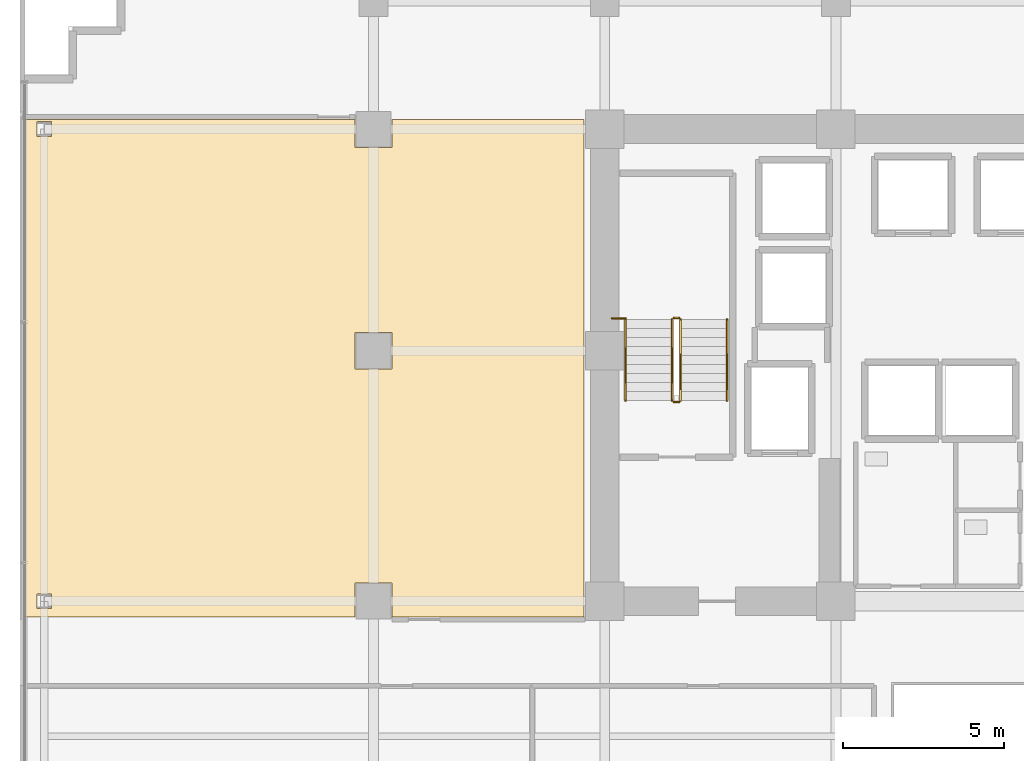
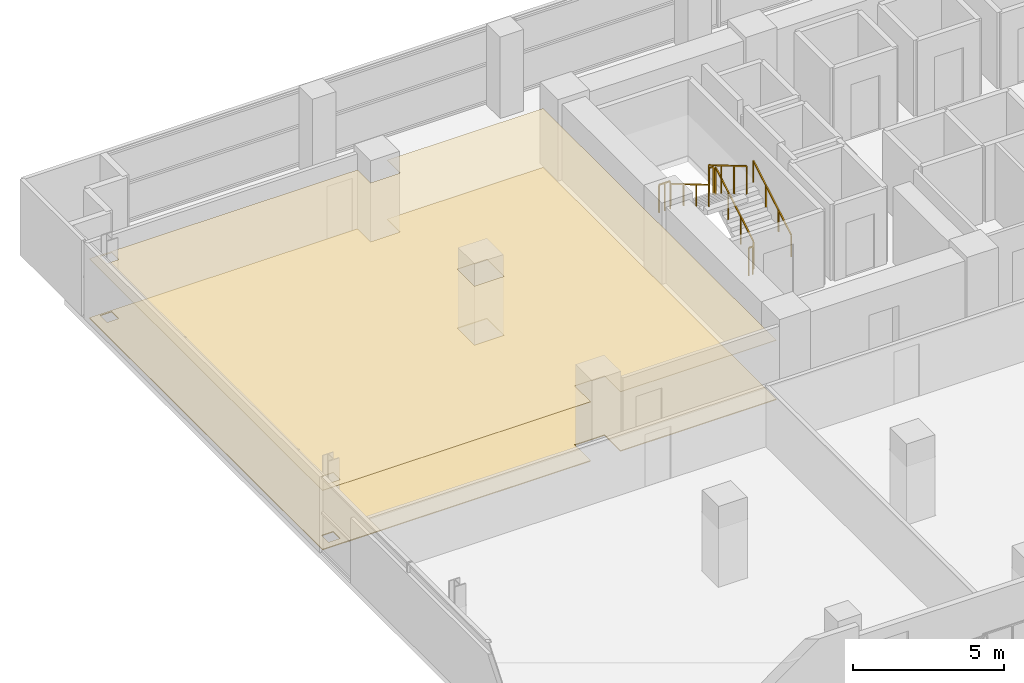
# One storey, part 27 of 30: 7 railings, 2 coverings.
"""IFC4 building model written with IfcOpenShell, lengths in metres."""

from ifc_helpers import new_model, si_unit, direction, frame, origin, origin_2d, place, context, subcontext, project, spatial, polyline, rectangle, outline, extrude, material, layer, layer_set, type_object, element, save


model = new_model("IFC4")

# Units and contexts
model_context = context("Model", 3, precision=1e-05, world=origin(), true_north=direction((0.0, 1.0)))
body_context = subcontext(model_context, "Body", "Model", "MODEL_VIEW")
ifc_project = project(units=[si_unit("LENGTHUNIT", "METRE"), si_unit("AREAUNIT", "SQUARE_METRE"), si_unit("VOLUMEUNIT", "CUBIC_METRE"), si_unit("PLANEANGLEUNIT", "RADIAN"), si_unit("MASSUNIT", "GRAM", prefix="KILO")], contexts=[model_context])

# Site, building, storey
site_placement = place(None, origin())
site = spatial("IfcSite", under=ifc_project, at=site_placement, CompositionType="ELEMENT")
building_placement = place(site_placement, origin())
building = spatial("IfcBuilding", under=site, at=building_placement, Name="Zarnakvel Exchange Tower", CompositionType="ELEMENT")
storey_placement = place(building_placement, frame((0.0, 0.0, 30.699951171875)))
storey = spatial("IfcBuildingStorey", under=building, at=storey_placement, Name="L07", CompositionType="ELEMENT", Elevation=30.699951171875)

# Coverings
ifc_material_1 = material(Name="Perforated Bronze Acoustic Metal Ceiling", Category="aluminium")
ifc_layer_1 = layer(ifc_material_1, 0.02001953125)
ifc_layer_set_1 = layer_set([ifc_layer_1], Name="Perforated Bronze Acoustic Metal Ceiling")
covering_type_1 = type_object("IfcCoveringType", Name="CLG-01", PredefinedType="CEILING", material=ifc_layer_set_1)
covering_1_placement = place(storey_placement, frame((0.0, 0.0, 2.405029296875)))
element("IfcCovering", 1, at=covering_1_placement, inside=storey, type_object=covering_type_1, Name="L07 Suspended Acoustic Ceiling (Boardroom)", PredefinedType="CEILING", context=body_context, shape_type="SweptSolid", body=[
    extrude(outline(polyline([(-32.449951171875, 13.800048828125), (-22.169921875, 13.800048828125), (-22.169921875, 12.929931640625), (-21.030029296875, 12.929931640625), (-21.030029296875, 13.800048828125), (-15.050048828125, 13.800048828125), (-15.050048828125, -1.68994140625), (-21.030029296875, -1.68994140625), (-21.030029296875, -0.6298828125), (-22.169921875, -0.6298828125), (-22.169921875, -1.68994140625), (-32.449951171875, -1.68994140625), (-32.449951171875, 13.800048828125)]), holes=[polyline([(-21.030029296875, 6.030029296875), (-21.030029296875, 7.169921875), (-22.169921875, 7.169921875), (-22.169921875, 6.030029296875), (-21.030029296875, 6.030029296875)]), polyline([(-31.6240234375, 13.267578125), (-31.6240234375, 13.732421875), (-32.075927734375, 13.732421875), (-32.075927734375, 13.267578125), (-31.6240234375, 13.267578125)]), polyline([(-31.6240234375, -1.4326171875), (-31.6240234375, -0.967529296875), (-32.075927734375, -0.967529296875), (-32.075927734375, -1.4326171875), (-31.6240234375, -1.4326171875)])]), origin(), (0.0, 0.0, 1.0), 0.02001953125),
])
ifc_material_2 = material(Name="Heavy-Duty Raised Access Floor Panel", Category="steel")
ifc_layer_2 = layer(ifc_material_2, 0.034912109375)
ifc_layer_set_2 = layer_set([ifc_layer_2], Name="Heavy-Duty Raised Access Floor Panel")
covering_type_2 = type_object("IfcCoveringType", Name="FLR-02", PredefinedType="FLOORING", material=ifc_layer_set_2)
covering_2_placement = place(storey_placement, origin())
element("IfcCovering", 2, at=covering_2_placement, inside=storey, type_object=covering_type_2, Name="L07 Floor Finish (Boardroom)", PredefinedType="FLOORING", context=body_context, shape_type="SweptSolid", body=[
    extrude(outline(polyline([(-32.449951171875, 13.800048828125), (-22.169921875, 13.800048828125), (-22.169921875, 12.929931640625), (-21.030029296875, 12.929931640625), (-21.030029296875, 13.800048828125), (-15.050048828125, 13.800048828125), (-15.050048828125, -1.68994140625), (-21.030029296875, -1.68994140625), (-21.030029296875, -0.6298828125), (-22.169921875, -0.6298828125), (-22.169921875, -1.68994140625), (-32.449951171875, -1.68994140625), (-32.449951171875, 13.800048828125)]), holes=[polyline([(-21.030029296875, 6.030029296875), (-21.030029296875, 7.169921875), (-22.169921875, 7.169921875), (-22.169921875, 6.030029296875), (-21.030029296875, 6.030029296875)]), polyline([(-31.6240234375, 13.267578125), (-31.6240234375, 13.732421875), (-32.075927734375, 13.732421875), (-32.075927734375, 13.267578125), (-31.6240234375, 13.267578125)]), polyline([(-31.6240234375, -1.4326171875), (-31.6240234375, -0.967529296875), (-32.075927734375, -0.967529296875), (-32.075927734375, -1.4326171875), (-31.6240234375, -1.4326171875)])]), origin(), (0.0, 0.0, 1.0), 0.03515625),
])

# Railings
ifc_material_3 = material(Name="Brushed Stainless Steel", Category="steel")
railing_type_1 = type_object("IfcRailingType", Name="HR-01", PredefinedType="HANDRAIL", material=ifc_material_3)
railing_1_placement = place(storey_placement, frame((-10.590087890625, 5.050048828125, 0.1650390625)))
element("IfcRailing", 3, at=railing_1_placement, inside=storey, type_object=railing_type_1, Name="L07 ST-01 stair handrail 1", PredefinedType="HANDRAIL", context=body_context, shape_type="SweptSolid", body=[
    extrude(rectangle(XDim=0.048095703125, YDim=0.048095703125, at=origin_2d()), frame((0.0, 0.0, 0.8759765625), z_axis=(0.0, 0.86152411907, 0.507716645641), x_axis=(-1.0, 0.0, 0.0)), (0.0, 0.0, 1.0), 2.925048828125),
    extrude(rectangle(XDim=0.0419921875, YDim=0.0419921875, at=origin_2d()), origin(), (0.0, 0.0, 1.0), 0.851806640625),
    extrude(rectangle(XDim=0.0419921875, YDim=0.0419921875, at=origin_2d()), frame((0.0, 0.840087890625, 0.4951171875)), (0.0, 0.0, 1.0), 0.851806640625),
    extrude(rectangle(XDim=0.0419921875, YDim=0.0419921875, at=origin_2d()), frame((0.0, 1.679931640625, 0.989990234375)), (0.0, 0.0, 1.0), 0.851806640625),
    extrude(rectangle(XDim=0.0419921875, YDim=0.0419921875, at=origin_2d()), frame((0.0, 2.52001953125, 1.485107421875)), (0.0, 0.0, 1.0), 0.851806640625),
])
railing_2_placement = place(storey_placement, frame((-13.75, 7.570068359375, 1.81494140625)))
element("IfcRailing", 4, at=railing_2_placement, inside=storey, type_object=railing_type_1, Name="L07 ST-01 stair handrail 2", PredefinedType="HANDRAIL", context=body_context, shape_type="SweptSolid", body=[
    extrude(rectangle(XDim=0.048095703125, YDim=0.048095703125, at=origin_2d()), frame((0.0, 0.0, 0.8759765625), z_axis=(0.0, -0.86152411907, 0.507716645641), x_axis=(1.0, 0.0, 0.0)), (0.0, 0.0, 1.0), 2.925048828125),
    extrude(rectangle(XDim=0.0419921875, YDim=0.0419921875, at=origin_2d()), origin(), (0.0, 0.0, 1.0), 0.851806640625),
    extrude(rectangle(XDim=0.0419921875, YDim=0.0419921875, at=origin_2d()), frame((0.0, -0.840087890625, 0.4951171875)), (0.0, 0.0, 1.0), 0.851806640625),
    extrude(rectangle(XDim=0.0419921875, YDim=0.0419921875, at=origin_2d()), frame((0.0, -1.679931640625, 0.989990234375)), (0.0, 0.0, 1.0), 0.851806640625),
    extrude(rectangle(XDim=0.0419921875, YDim=0.0419921875, at=origin_2d()), frame((0.0, -2.52001953125, 1.485107421875)), (0.0, 0.0, 1.0), 0.851806640625),
])
ifc_material_4 = material(Name="Architectural Bronze Anodised Aluminium", Category="aluminium")
railing_type_2 = type_object("IfcRailingType", Name="SG-01", PredefinedType="GUARDRAIL", material=ifc_material_4)
railing_3_placement = place(storey_placement, frame((-12.0400390625, 5.050048828125, 0.1650390625)))
element("IfcRailing", 5, at=railing_3_placement, inside=storey, type_object=railing_type_2, Name="L07 ST-01 stair guard 1", PredefinedType="GUARDRAIL", context=body_context, shape_type="SweptSolid", body=[
    extrude(rectangle(XDim=0.048095703125, YDim=0.048095703125, at=origin_2d()), frame((0.0, 0.0, 1.1259765625), z_axis=(0.0, 0.86152411907, 0.507716645641), x_axis=(-1.0, 0.0, 0.0)), (0.0, 0.0, 1.0), 2.925048828125),
    extrude(rectangle(XDim=0.0419921875, YDim=0.0419921875, at=origin_2d()), origin(), (0.0, 0.0, 1.0), 1.101806640625),
    extrude(rectangle(XDim=0.0419921875, YDim=0.0419921875, at=origin_2d()), frame((0.0, 0.840087890625, 0.4951171875)), (0.0, 0.0, 1.0), 1.101806640625),
    extrude(rectangle(XDim=0.0419921875, YDim=0.0419921875, at=origin_2d()), frame((0.0, 1.679931640625, 0.989990234375)), (0.0, 0.0, 1.0), 1.101806640625),
    extrude(rectangle(XDim=0.0419921875, YDim=0.0419921875, at=origin_2d()), frame((0.0, 2.52001953125, 1.485107421875)), (0.0, 0.0, 1.0), 1.101806640625),
])
railing_4_placement = place(storey_placement, frame((-12.090087890625, 7.6201171875, 1.650146484375)))
element("IfcRailing", 6, at=railing_4_placement, inside=storey, type_object=railing_type_2, Name="L07 ST-01 stair guard 2", PredefinedType="GUARDRAIL", context=body_context, shape_type="SweptSolid", body=[
    extrude(rectangle(XDim=0.048095703125, YDim=0.048095703125, at=origin_2d()), frame((0.0, 0.0, 1.1259765625), z_axis=(-1.0, 0.0, 0.0), x_axis=(0.0, -1.0, 0.0)), (0.0, 0.0, 1.0), 0.159912109375),
    extrude(rectangle(XDim=0.0419921875, YDim=0.0419921875, at=origin_2d()), origin(), (0.0, 0.0, 1.0), 1.101806640625),
    extrude(rectangle(XDim=0.0419921875, YDim=0.0419921875, at=origin_2d()), frame((-0.159912109375, 0.0, 0.0)), (0.0, 0.0, 1.0), 1.101806640625),
])
railing_5_placement = place(storey_placement, frame((-12.300048828125, 7.570068359375, 1.81494140625)))
element("IfcRailing", 7, at=railing_5_placement, inside=storey, type_object=railing_type_2, Name="L07 ST-01 stair guard 3", PredefinedType="GUARDRAIL", context=body_context, shape_type="SweptSolid", body=[
    extrude(rectangle(XDim=0.048095703125, YDim=0.048095703125, at=origin_2d()), frame((0.0, 0.0, 1.1259765625), z_axis=(0.0, -0.86152411907, 0.507716645641), x_axis=(1.0, 0.0, 0.0)), (0.0, 0.0, 1.0), 2.925048828125),
    extrude(rectangle(XDim=0.0419921875, YDim=0.0419921875, at=origin_2d()), origin(), (0.0, 0.0, 1.0), 1.101806640625),
    extrude(rectangle(XDim=0.0419921875, YDim=0.0419921875, at=origin_2d()), frame((0.0, -0.840087890625, 0.4951171875)), (0.0, 0.0, 1.0), 1.101806640625),
    extrude(rectangle(XDim=0.0419921875, YDim=0.0419921875, at=origin_2d()), frame((0.0, -1.679931640625, 0.989990234375)), (0.0, 0.0, 1.0), 1.101806640625),
    extrude(rectangle(XDim=0.0419921875, YDim=0.0419921875, at=origin_2d()), frame((0.0, -2.52001953125, 1.485107421875)), (0.0, 0.0, 1.0), 1.101806640625),
])
railing_6_placement = place(storey_placement, frame((-12.090087890625, 5.0, 0.0)))
element("IfcRailing", 8, at=railing_6_placement, inside=storey, type_object=railing_type_2, Name="L07 ST-01 stair guard 4", PredefinedType="GUARDRAIL", context=body_context, shape_type="SweptSolid", body=[
    extrude(rectangle(XDim=0.048095703125, YDim=0.048095703125, at=origin_2d()), frame((0.0, 0.0, 1.1259765625), z_axis=(-1.0, 0.0, 0.0), x_axis=(0.0, -1.0, 0.0)), (0.0, 0.0, 1.0), 0.159912109375),
    extrude(rectangle(XDim=0.0419921875, YDim=0.0419921875, at=origin_2d()), origin(), (0.0, 0.0, 1.0), 1.101806640625),
    extrude(rectangle(XDim=0.0419921875, YDim=0.0419921875, at=origin_2d()), frame((-0.159912109375, 0.0, 0.0)), (0.0, 0.0, 1.0), 1.101806640625),
])
railing_7_placement = place(storey_placement, frame((-14.179931640625, 7.610107421875, 1.650146484375)))
element("IfcRailing", 9, at=railing_7_placement, inside=storey, type_object=railing_type_2, Name="L07 ST-01 Landing Slot Guardrail", PredefinedType="GUARDRAIL", context=body_context, shape_type="SweptSolid", body=[
    extrude(rectangle(XDim=0.048095703125, YDim=0.048095703125, at=origin_2d()), frame((0.0, 0.0, 1.1259765625), z_axis=(1.0, 0.0, 0.0), x_axis=(0.0, 1.0, 0.0)), (0.0, 0.0, 1.0), 0.429931640625),
    extrude(rectangle(XDim=0.0419921875, YDim=0.0419921875, at=origin_2d()), origin(), (0.0, 0.0, 1.0), 1.101806640625),
    extrude(rectangle(XDim=0.0419921875, YDim=0.0419921875, at=origin_2d()), frame((0.21484375, 0.0, 0.0)), (0.0, 0.0, 1.0), 1.101806640625),
    extrude(rectangle(XDim=0.0419921875, YDim=0.0419921875, at=origin_2d()), frame((0.429931640625, 0.0, 0.0)), (0.0, 0.0, 1.0), 1.101806640625),
])

save(model, "model.ifc")
